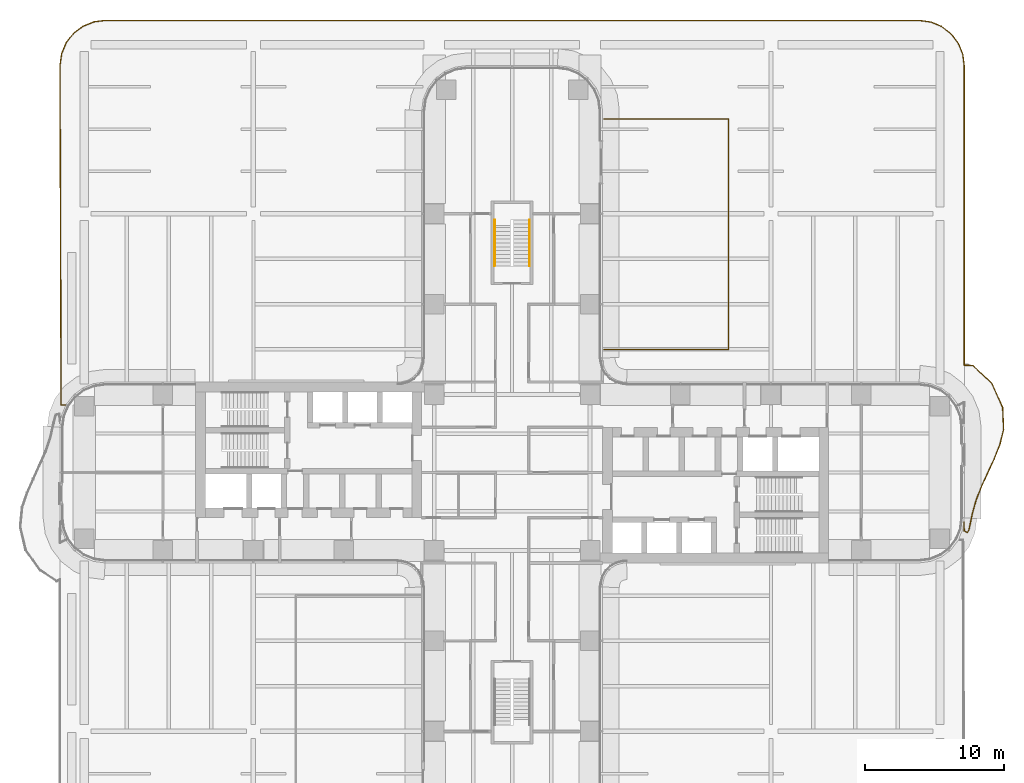
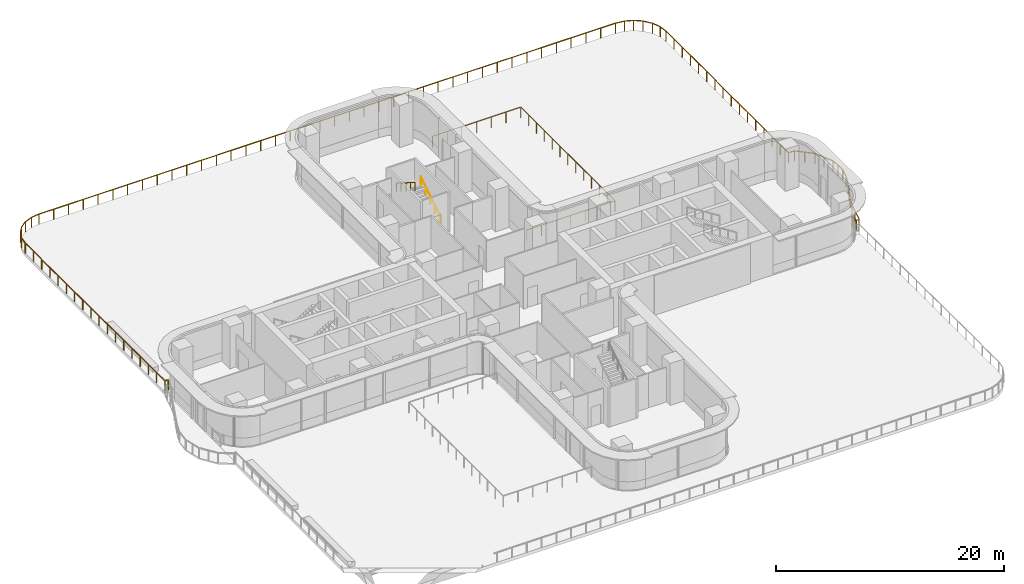
# One storey, part 28 of 29: 4 railings.
"""IFC4 building model written with IfcOpenShell, lengths in metres."""

from ifc_helpers import new_model, si_unit, direction, frame, origin, origin_2d, place, context, subcontext, project, spatial, rectangle, circle, extrude, source, transform, mapped, material, type_object, element, save


model = new_model("IFC4")

# Units and contexts
model_context = context("Model", 3, precision=1e-05, world=origin(), true_north=direction((0.0, 1.0)))
body_context = subcontext(model_context, "Body", "Model", "MODEL_VIEW")
ifc_project = project(units=[si_unit("LENGTHUNIT", "METRE"), si_unit("AREAUNIT", "SQUARE_METRE"), si_unit("VOLUMEUNIT", "CUBIC_METRE"), si_unit("PLANEANGLEUNIT", "RADIAN"), si_unit("MASSUNIT", "GRAM", prefix="KILO")], contexts=[model_context])

# Site, building, storey
site_placement = place(None, origin())
site = spatial("IfcSite", under=ifc_project, at=site_placement, CompositionType="ELEMENT")
building_placement = place(site_placement, origin())
building = spatial("IfcBuilding", under=site, at=building_placement, Name="Trellis Farm Tower", CompositionType="ELEMENT")
storey_placement = place(building_placement, frame((0.0, 0.0, 34.0)))
storey = spatial("IfcBuildingStorey", under=building, at=storey_placement, Name="L06", CompositionType="ELEMENT", Elevation=34.0)

# Railings
ifc_material_1 = material(Name="Stainless steel 316", Category="steel")
railing_type_1 = type_object("IfcRailingType", Name="BALUSTRADE GUARD 1100", PredefinedType="GUARDRAIL", material=ifc_material_1)
railing_1_placement = place(storey_placement, frame((-32.078369140625, 4.841552734375, 0.0)))
element("IfcRailing", 1, at=railing_1_placement, inside=storey, type_object=railing_type_1, Name="GD1 BAL-2", PredefinedType="GUARDRAIL", context=body_context, shape_type="SweptSolid", body=[
    extrude(rectangle(XDim=0.050048828125, YDim=0.050048828125, at=origin_2d()), frame((0.0, 0.0, 1.0751953125), z_axis=(-0.998595991784, 0.052972117127, 0.0), x_axis=(-0.052972117127, -0.998595991784, 0.0)), (0.0, 0.0, 1.0), 0.341064453125),
    extrude(rectangle(XDim=0.050048828125, YDim=0.050048828125, at=origin_2d()), frame((-0.340576171875, 0.01806640625, 1.0751953125), z_axis=(-0.003325435357, 0.999994470725, 0.0), x_axis=(-0.999994470725, -0.003325435357, 0.0)), (0.0, 0.0, 1.0), 24.374267578125),
    extrude(rectangle(XDim=0.050048828125, YDim=0.050048828125, at=origin_2d()), frame((-0.421630859375, 24.39208984375, 1.0751953125), z_axis=(0.137531262137, 0.990497426516, 0.0), x_axis=(-0.990497426516, 0.137531262137, 0.0)), (0.0, 0.0, 1.0), 0.896484375),
    extrude(rectangle(XDim=0.050048828125, YDim=0.050048828125, at=origin_2d()), frame((-0.29833984375, 25.280029296875, 1.0751953125), z_axis=(0.392110431343, 0.919918153768, 0.0), x_axis=(-0.919918153768, 0.392110431343, 0.0)), (0.0, 0.0, 1.0), 0.847412109375),
    extrude(rectangle(XDim=0.050048828125, YDim=0.050048828125, at=origin_2d()), frame((0.033935546875, 26.0595703125, 1.0751953125), z_axis=(0.616650070044, 0.78723737914, 0.0), x_axis=(-0.78723737914, 0.616650070044, 0.0)), (0.0, 0.0, 1.0), 0.84716796875),
    extrude(rectangle(XDim=0.050048828125, YDim=0.050048828125, at=origin_2d()), frame((0.556396484375, 26.7265625, 1.0751953125), z_axis=(0.799481118844, 0.600691219023, 0.0), x_axis=(-0.600691219023, 0.799481118844, 0.0)), (0.0, 0.0, 1.0), 0.847412109375),
    extrude(rectangle(XDim=0.050048828125, YDim=0.050048828125, at=origin_2d()), frame((1.23388671875, 27.235595703125, 1.0751953125), z_axis=(0.927639628134, 0.373476532483, 0.0), x_axis=(-0.373476532483, 0.927639628134, 0.0)), (0.0, 0.0, 1.0), 0.84716796875),
    extrude(rectangle(XDim=0.050048828125, YDim=0.050048828125, at=origin_2d()), frame((2.019775390625, 27.552001953125, 1.0751953125), z_axis=(0.991777866634, 0.12797133763, 0.0), x_axis=(-0.12797133763, 0.991777866634, 0.0)), (0.0, 0.0, 1.0), 0.831787109375),
    extrude(rectangle(XDim=0.050048828125, YDim=0.050048828125, at=origin_2d()), frame((2.8447265625, 27.658447265625, 1.0751953125), z_axis=(0.999999999295, -3.7560253e-05, 0.0), x_axis=(3.7560253e-05, 0.999999999295, 0.0)), (0.0, 0.0, 1.0), 58.499755859375),
    extrude(rectangle(XDim=0.050048828125, YDim=0.050048828125, at=origin_2d()), frame((61.344482421875, 27.65625, 1.0751953125), z_axis=(0.990129529827, -0.140155321574, 0.0), x_axis=(0.140155321574, 0.990129529827, 0.0)), (0.0, 0.0, 1.0), 0.864013671875),
    extrude(rectangle(XDim=0.050048828125, YDim=0.050048828125, at=origin_2d()), frame((62.199951171875, 27.53515625, 1.0751953125), z_axis=(0.923822863807, -0.38282021408, 0.0), x_axis=(0.38282021408, 0.923822863807, 0.0)), (0.0, 0.0, 1.0), 0.782470703125),
    extrude(rectangle(XDim=0.050048828125, YDim=0.050048828125, at=origin_2d()), frame((62.9228515625, 27.235595703125, 1.0751953125), z_axis=(0.799481118844, -0.600691219023, 0.0), x_axis=(0.600691219023, 0.799481118844, 0.0)), (0.0, 0.0, 1.0), 0.847412109375),
    extrude(rectangle(XDim=0.050048828125, YDim=0.050048828125, at=origin_2d()), frame((63.600341796875, 26.7265625, 1.0751953125), z_axis=(0.608701247669, -0.793399515431, 0.0), x_axis=(0.793399515431, 0.608701247669, 0.0)), (0.0, 0.0, 1.0), 0.912109375),
    extrude(rectangle(XDim=0.050048828125, YDim=0.050048828125, at=origin_2d()), frame((64.155517578125, 26.0029296875, 1.0751953125), z_axis=(0.373476532483, -0.927639628134, 0.0), x_axis=(0.927639628134, 0.373476532483, 0.0)), (0.0, 0.0, 1.0), 0.84716796875),
    extrude(rectangle(XDim=0.050048828125, YDim=0.050048828125, at=origin_2d()), frame((64.471923828125, 25.217041015625, 1.0751953125), z_axis=(0.12797133763, -0.991777866634, 0.0), x_axis=(0.991777866634, 0.12797133763, 0.0)), (0.0, 0.0, 1.0), 0.831787109375),
    extrude(rectangle(XDim=0.050048828125, YDim=0.050048828125, at=origin_2d()), frame((64.578369140625, 24.39208984375, 1.0751953125), z_axis=(0.0, -1.0, 0.0), x_axis=(1.0, 0.0, 0.0)), (0.0, 0.0, 1.0), 21.519775390625),
    extrude(rectangle(XDim=0.050048828125, YDim=0.050048828125, at=origin_2d()), frame((64.578369140625, 2.872314453125, 1.0751953125), z_axis=(0.999423882956, -0.033939684399, 0.0), x_axis=(0.033939684399, 0.999423882956, 0.0)), (0.0, 0.0, 1.0), 0.611328125),
    extrude(rectangle(XDim=0.050048828125, YDim=0.050048828125, at=origin_2d()), frame((65.189453125, 2.8515625, 1.0751953125), z_axis=(0.73595216975, -0.677033532287, 0.0), x_axis=(0.677033532287, 0.73595216975, 0.0)), (0.0, 0.0, 1.0), 1.83984375),
    extrude(rectangle(XDim=0.050048828125, YDim=0.050048828125, at=origin_2d()), frame((66.54345703125, 1.60595703125, 1.0751953125), z_axis=(0.409066699542, -0.912504485099, 0.0), x_axis=(0.912504485099, 0.409066699542, 0.0)), (0.0, 0.0, 1.0), 1.947998046875),
    extrude(rectangle(XDim=0.050048828125, YDim=0.050048828125, at=origin_2d()), frame((67.34033203125, -0.171630859375, 1.0751953125), z_axis=(0.042654335, -0.999089889702, 0.0), x_axis=(0.999089889702, 0.042654335, 0.0)), (0.0, 0.0, 1.0), 1.596923828125),
    extrude(rectangle(XDim=0.050048828125, YDim=0.050048828125, at=origin_2d()), frame((67.408447265625, -1.76708984375, 1.0751953125), z_axis=(-0.246167193981, -0.969227379209, 0.0), x_axis=(0.969227379209, -0.246167193981, 0.0)), (0.0, 0.0, 1.0), 1.091064453125),
    extrude(rectangle(XDim=0.050048828125, YDim=0.050048828125, at=origin_2d()), frame((67.139892578125, -2.824462890625, 1.0751953125), z_axis=(-0.366843911407, -0.930282507985, 0.0), x_axis=(0.930282507985, -0.366843911407, 0.0)), (0.0, 0.0, 1.0), 1.102783203125),
    extrude(rectangle(XDim=0.050048828125, YDim=0.050048828125, at=origin_2d()), frame((66.7353515625, -3.850341796875, 1.0751953125), z_axis=(-0.418681789688, -0.90813300732, 0.0), x_axis=(0.90813300732, -0.418681789688, 0.0)), (0.0, 0.0, 1.0), 2.18017578125),
    extrude(rectangle(XDim=0.050048828125, YDim=0.050048828125, at=origin_2d()), frame((65.822509765625, -5.830322265625, 1.0751953125), z_axis=(-0.369053369105, -0.929408204586, 0.0), x_axis=(0.929408204586, -0.369053369105, 0.0)), (0.0, 0.0, 1.0), 1.06298828125),
    extrude(rectangle(XDim=0.050048828125, YDim=0.050048828125, at=origin_2d()), frame((65.43017578125, -6.818359375, 1.0751953125), z_axis=(-0.266165908798, -0.963927232209, 0.0), x_axis=(0.963927232209, -0.266165908798, 0.0)), (0.0, 0.0, 1.0), 1.056640625),
    extrude(rectangle(XDim=0.050048828125, YDim=0.050048828125, at=origin_2d()), frame((65.14892578125, -7.8369140625, 1.0751953125), z_axis=(-0.20400658799, -0.978969515387, 0.0), x_axis=(0.978969515387, -0.20400658799, 0.0)), (0.0, 0.0, 1.0), 1.11767578125),
    extrude(rectangle(XDim=0.050048828125, YDim=0.050048828125, at=origin_2d()), frame((64.9208984375, -8.93115234375, 1.0751953125), z_axis=(-0.445329604008, -0.895366709116, 0.0), x_axis=(0.895366709116, -0.445329604008, 0.0)), (0.0, 0.0, 1.0), 0.25927734375),
    extrude(rectangle(XDim=0.050048828125, YDim=0.050048828125, at=origin_2d()), frame((64.805419921875, -9.163330078125, 1.0751953125), z_axis=(-0.870022185849, 0.493012571981, 0.0), x_axis=(-0.493012571981, -0.870022185849, 0.0)), (0.0, 0.0, 1.0), 0.260986328125),
    extrude(rectangle(XDim=0.050048828125, YDim=0.050048828125, at=origin_2d()), frame((64.578369140625, -9.03466796875, 1.0751953125), z_axis=(-0.061881934833, 0.99808347654, 0.0), x_axis=(-0.99808347654, -0.061881934833, 0.0)), (0.0, 0.0, 1.0), 0.64306640625),
    extrude(rectangle(XDim=0.0400390625, YDim=0.0400390625, at=origin_2d()), origin(), (0.0, 0.0, 1.0), 1.050048828125),
    extrude(rectangle(XDim=0.0400390625, YDim=0.0400390625, at=origin_2d()), frame((-0.340576171875, 0.01806640625, 0.0)), (0.0, 0.0, 1.0), 1.050048828125),
    extrude(rectangle(XDim=0.0400390625, YDim=0.0400390625, at=origin_2d()), frame((-0.345458984375, 1.451904296875, 0.0)), (0.0, 0.0, 1.0), 1.050048828125),
    extrude(rectangle(XDim=0.0400390625, YDim=0.0400390625, at=origin_2d()), frame((-0.35009765625, 2.885498046875, 0.0)), (0.0, 0.0, 1.0), 1.050048828125),
    extrude(rectangle(XDim=0.0400390625, YDim=0.0400390625, at=origin_2d()), frame((-0.35498046875, 4.3193359375, 0.0)), (0.0, 0.0, 1.0), 1.050048828125),
    extrude(rectangle(XDim=0.0400390625, YDim=0.0400390625, at=origin_2d()), frame((-0.359619140625, 5.753173828125, 0.0)), (0.0, 0.0, 1.0), 1.050048828125),
    extrude(rectangle(XDim=0.0400390625, YDim=0.0400390625, at=origin_2d()), frame((-0.364501953125, 7.18701171875, 0.0)), (0.0, 0.0, 1.0), 1.050048828125),
    extrude(rectangle(XDim=0.0400390625, YDim=0.0400390625, at=origin_2d()), frame((-0.369140625, 8.62060546875, 0.0)), (0.0, 0.0, 1.0), 1.050048828125),
    extrude(rectangle(XDim=0.0400390625, YDim=0.0400390625, at=origin_2d()), frame((-0.3740234375, 10.054443359375, 0.0)), (0.0, 0.0, 1.0), 1.050048828125),
    extrude(rectangle(XDim=0.0400390625, YDim=0.0400390625, at=origin_2d()), frame((-0.378662109375, 11.48828125, 0.0)), (0.0, 0.0, 1.0), 1.050048828125),
    extrude(rectangle(XDim=0.0400390625, YDim=0.0400390625, at=origin_2d()), frame((-0.383544921875, 12.921875, 0.0)), (0.0, 0.0, 1.0), 1.050048828125),
    extrude(rectangle(XDim=0.0400390625, YDim=0.0400390625, at=origin_2d()), frame((-0.38818359375, 14.355712890625, 0.0)), (0.0, 0.0, 1.0), 1.050048828125),
    extrude(rectangle(XDim=0.0400390625, YDim=0.0400390625, at=origin_2d()), frame((-0.39306640625, 15.78955078125, 0.0)), (0.0, 0.0, 1.0), 1.050048828125),
    extrude(rectangle(XDim=0.0400390625, YDim=0.0400390625, at=origin_2d()), frame((-0.397705078125, 17.22314453125, 0.0)), (0.0, 0.0, 1.0), 1.050048828125),
    extrude(rectangle(XDim=0.0400390625, YDim=0.0400390625, at=origin_2d()), frame((-0.402587890625, 18.656982421875, 0.0)), (0.0, 0.0, 1.0), 1.050048828125),
    extrude(rectangle(XDim=0.0400390625, YDim=0.0400390625, at=origin_2d()), frame((-0.4072265625, 20.0908203125, 0.0)), (0.0, 0.0, 1.0), 1.050048828125),
    extrude(rectangle(XDim=0.0400390625, YDim=0.0400390625, at=origin_2d()), frame((-0.412109375, 21.524658203125, 0.0)), (0.0, 0.0, 1.0), 1.050048828125),
    extrude(rectangle(XDim=0.0400390625, YDim=0.0400390625, at=origin_2d()), frame((-0.416748046875, 22.958251953125, 0.0)), (0.0, 0.0, 1.0), 1.050048828125),
    extrude(rectangle(XDim=0.0400390625, YDim=0.0400390625, at=origin_2d()), frame((-0.421630859375, 24.39208984375, 0.0)), (0.0, 0.0, 1.0), 1.050048828125),
    extrude(rectangle(XDim=0.0400390625, YDim=0.0400390625, at=origin_2d()), frame((-0.29833984375, 25.280029296875, 0.0)), (0.0, 0.0, 1.0), 1.050048828125),
    extrude(rectangle(XDim=0.0400390625, YDim=0.0400390625, at=origin_2d()), frame((0.033935546875, 26.0595703125, 0.0)), (0.0, 0.0, 1.0), 1.050048828125),
    extrude(rectangle(XDim=0.0400390625, YDim=0.0400390625, at=origin_2d()), frame((0.556396484375, 26.7265625, 0.0)), (0.0, 0.0, 1.0), 1.050048828125),
    extrude(rectangle(XDim=0.0400390625, YDim=0.0400390625, at=origin_2d()), frame((1.23388671875, 27.235595703125, 0.0)), (0.0, 0.0, 1.0), 1.050048828125),
    extrude(rectangle(XDim=0.0400390625, YDim=0.0400390625, at=origin_2d()), frame((2.019775390625, 27.552001953125, 0.0)), (0.0, 0.0, 1.0), 1.050048828125),
    extrude(rectangle(XDim=0.0400390625, YDim=0.0400390625, at=origin_2d()), frame((2.8447265625, 27.658447265625, 0.0)), (0.0, 0.0, 1.0), 1.050048828125),
    extrude(rectangle(XDim=0.0400390625, YDim=0.0400390625, at=origin_2d()), frame((4.3447265625, 27.658447265625, 0.0)), (0.0, 0.0, 1.0), 1.050048828125),
    extrude(rectangle(XDim=0.0400390625, YDim=0.0400390625, at=origin_2d()), frame((5.8447265625, 27.658447265625, 0.0)), (0.0, 0.0, 1.0), 1.050048828125),
    extrude(rectangle(XDim=0.0400390625, YDim=0.0400390625, at=origin_2d()), frame((7.3447265625, 27.658203125, 0.0)), (0.0, 0.0, 1.0), 1.050048828125),
    extrude(rectangle(XDim=0.0400390625, YDim=0.0400390625, at=origin_2d()), frame((8.8447265625, 27.658203125, 0.0)), (0.0, 0.0, 1.0), 1.050048828125),
    extrude(rectangle(XDim=0.0400390625, YDim=0.0400390625, at=origin_2d()), frame((10.3447265625, 27.658203125, 0.0)), (0.0, 0.0, 1.0), 1.050048828125),
    extrude(rectangle(XDim=0.0400390625, YDim=0.0400390625, at=origin_2d()), frame((11.8447265625, 27.658203125, 0.0)), (0.0, 0.0, 1.0), 1.050048828125),
    extrude(rectangle(XDim=0.0400390625, YDim=0.0400390625, at=origin_2d()), frame((13.3447265625, 27.657958984375, 0.0)), (0.0, 0.0, 1.0), 1.050048828125),
    extrude(rectangle(XDim=0.0400390625, YDim=0.0400390625, at=origin_2d()), frame((14.8447265625, 27.657958984375, 0.0)), (0.0, 0.0, 1.0), 1.050048828125),
    extrude(rectangle(XDim=0.0400390625, YDim=0.0400390625, at=origin_2d()), frame((16.3447265625, 27.657958984375, 0.0)), (0.0, 0.0, 1.0), 1.050048828125),
    extrude(rectangle(XDim=0.0400390625, YDim=0.0400390625, at=origin_2d()), frame((17.8447265625, 27.657958984375, 0.0)), (0.0, 0.0, 1.0), 1.050048828125),
    extrude(rectangle(XDim=0.0400390625, YDim=0.0400390625, at=origin_2d()), frame((19.3447265625, 27.65771484375, 0.0)), (0.0, 0.0, 1.0), 1.050048828125),
    extrude(rectangle(XDim=0.0400390625, YDim=0.0400390625, at=origin_2d()), frame((20.8447265625, 27.65771484375, 0.0)), (0.0, 0.0, 1.0), 1.050048828125),
    extrude(rectangle(XDim=0.0400390625, YDim=0.0400390625, at=origin_2d()), frame((22.3447265625, 27.65771484375, 0.0)), (0.0, 0.0, 1.0), 1.050048828125),
    extrude(rectangle(XDim=0.0400390625, YDim=0.0400390625, at=origin_2d()), frame((23.8447265625, 27.65771484375, 0.0)), (0.0, 0.0, 1.0), 1.050048828125),
    extrude(rectangle(XDim=0.0400390625, YDim=0.0400390625, at=origin_2d()), frame((25.3447265625, 27.65771484375, 0.0)), (0.0, 0.0, 1.0), 1.050048828125),
    extrude(rectangle(XDim=0.0400390625, YDim=0.0400390625, at=origin_2d()), frame((26.8447265625, 27.657470703125, 0.0)), (0.0, 0.0, 1.0), 1.050048828125),
    extrude(rectangle(XDim=0.0400390625, YDim=0.0400390625, at=origin_2d()), frame((28.3447265625, 27.657470703125, 0.0)), (0.0, 0.0, 1.0), 1.050048828125),
    extrude(rectangle(XDim=0.0400390625, YDim=0.0400390625, at=origin_2d()), frame((29.8447265625, 27.657470703125, 0.0)), (0.0, 0.0, 1.0), 1.050048828125),
    extrude(rectangle(XDim=0.0400390625, YDim=0.0400390625, at=origin_2d()), frame((31.3447265625, 27.657470703125, 0.0)), (0.0, 0.0, 1.0), 1.050048828125),
    extrude(rectangle(XDim=0.0400390625, YDim=0.0400390625, at=origin_2d()), frame((32.844482421875, 27.6572265625, 0.0)), (0.0, 0.0, 1.0), 1.050048828125),
    extrude(rectangle(XDim=0.0400390625, YDim=0.0400390625, at=origin_2d()), frame((34.344482421875, 27.6572265625, 0.0)), (0.0, 0.0, 1.0), 1.050048828125),
    extrude(rectangle(XDim=0.0400390625, YDim=0.0400390625, at=origin_2d()), frame((35.844482421875, 27.6572265625, 0.0)), (0.0, 0.0, 1.0), 1.050048828125),
    extrude(rectangle(XDim=0.0400390625, YDim=0.0400390625, at=origin_2d()), frame((37.344482421875, 27.6572265625, 0.0)), (0.0, 0.0, 1.0), 1.050048828125),
    extrude(rectangle(XDim=0.0400390625, YDim=0.0400390625, at=origin_2d()), frame((38.844482421875, 27.656982421875, 0.0)), (0.0, 0.0, 1.0), 1.050048828125),
    extrude(rectangle(XDim=0.0400390625, YDim=0.0400390625, at=origin_2d()), frame((40.344482421875, 27.656982421875, 0.0)), (0.0, 0.0, 1.0), 1.050048828125),
    extrude(rectangle(XDim=0.0400390625, YDim=0.0400390625, at=origin_2d()), frame((41.844482421875, 27.656982421875, 0.0)), (0.0, 0.0, 1.0), 1.050048828125),
    extrude(rectangle(XDim=0.0400390625, YDim=0.0400390625, at=origin_2d()), frame((43.344482421875, 27.656982421875, 0.0)), (0.0, 0.0, 1.0), 1.050048828125),
    extrude(rectangle(XDim=0.0400390625, YDim=0.0400390625, at=origin_2d()), frame((44.844482421875, 27.656982421875, 0.0)), (0.0, 0.0, 1.0), 1.050048828125),
    extrude(rectangle(XDim=0.0400390625, YDim=0.0400390625, at=origin_2d()), frame((46.344482421875, 27.65673828125, 0.0)), (0.0, 0.0, 1.0), 1.050048828125),
    extrude(rectangle(XDim=0.0400390625, YDim=0.0400390625, at=origin_2d()), frame((47.844482421875, 27.65673828125, 0.0)), (0.0, 0.0, 1.0), 1.050048828125),
    extrude(rectangle(XDim=0.0400390625, YDim=0.0400390625, at=origin_2d()), frame((49.344482421875, 27.65673828125, 0.0)), (0.0, 0.0, 1.0), 1.050048828125),
    extrude(rectangle(XDim=0.0400390625, YDim=0.0400390625, at=origin_2d()), frame((50.844482421875, 27.65673828125, 0.0)), (0.0, 0.0, 1.0), 1.050048828125),
    extrude(rectangle(XDim=0.0400390625, YDim=0.0400390625, at=origin_2d()), frame((52.344482421875, 27.656494140625, 0.0)), (0.0, 0.0, 1.0), 1.050048828125),
    extrude(rectangle(XDim=0.0400390625, YDim=0.0400390625, at=origin_2d()), frame((53.844482421875, 27.656494140625, 0.0)), (0.0, 0.0, 1.0), 1.050048828125),
    extrude(rectangle(XDim=0.0400390625, YDim=0.0400390625, at=origin_2d()), frame((55.344482421875, 27.656494140625, 0.0)), (0.0, 0.0, 1.0), 1.050048828125),
    extrude(rectangle(XDim=0.0400390625, YDim=0.0400390625, at=origin_2d()), frame((56.844482421875, 27.656494140625, 0.0)), (0.0, 0.0, 1.0), 1.050048828125),
    extrude(rectangle(XDim=0.0400390625, YDim=0.0400390625, at=origin_2d()), frame((58.344482421875, 27.65625, 0.0)), (0.0, 0.0, 1.0), 1.050048828125),
    extrude(rectangle(XDim=0.0400390625, YDim=0.0400390625, at=origin_2d()), frame((59.844482421875, 27.65625, 0.0)), (0.0, 0.0, 1.0), 1.050048828125),
    extrude(rectangle(XDim=0.0400390625, YDim=0.0400390625, at=origin_2d()), frame((61.344482421875, 27.65625, 0.0)), (0.0, 0.0, 1.0), 1.050048828125),
    extrude(rectangle(XDim=0.0400390625, YDim=0.0400390625, at=origin_2d()), frame((62.199951171875, 27.53515625, 0.0)), (0.0, 0.0, 1.0), 1.050048828125),
    extrude(rectangle(XDim=0.0400390625, YDim=0.0400390625, at=origin_2d()), frame((62.9228515625, 27.235595703125, 0.0)), (0.0, 0.0, 1.0), 1.050048828125),
    extrude(rectangle(XDim=0.0400390625, YDim=0.0400390625, at=origin_2d()), frame((63.600341796875, 26.7265625, 0.0)), (0.0, 0.0, 1.0), 1.050048828125),
    extrude(rectangle(XDim=0.0400390625, YDim=0.0400390625, at=origin_2d()), frame((64.155517578125, 26.0029296875, 0.0)), (0.0, 0.0, 1.0), 1.050048828125),
    extrude(rectangle(XDim=0.0400390625, YDim=0.0400390625, at=origin_2d()), frame((64.471923828125, 25.217041015625, 0.0)), (0.0, 0.0, 1.0), 1.050048828125),
    extrude(rectangle(XDim=0.0400390625, YDim=0.0400390625, at=origin_2d()), frame((64.578369140625, 24.39208984375, 0.0)), (0.0, 0.0, 1.0), 1.050048828125),
    extrude(rectangle(XDim=0.0400390625, YDim=0.0400390625, at=origin_2d()), frame((64.578369140625, 22.95751953125, 0.0)), (0.0, 0.0, 1.0), 1.050048828125),
    extrude(rectangle(XDim=0.0400390625, YDim=0.0400390625, at=origin_2d()), frame((64.578369140625, 21.522705078125, 0.0)), (0.0, 0.0, 1.0), 1.050048828125),
    extrude(rectangle(XDim=0.0400390625, YDim=0.0400390625, at=origin_2d()), frame((64.578369140625, 20.088134765625, 0.0)), (0.0, 0.0, 1.0), 1.050048828125),
    extrude(rectangle(XDim=0.0400390625, YDim=0.0400390625, at=origin_2d()), frame((64.578369140625, 18.653564453125, 0.0)), (0.0, 0.0, 1.0), 1.050048828125),
    extrude(rectangle(XDim=0.0400390625, YDim=0.0400390625, at=origin_2d()), frame((64.578369140625, 17.21875, 0.0)), (0.0, 0.0, 1.0), 1.050048828125),
    extrude(rectangle(XDim=0.0400390625, YDim=0.0400390625, at=origin_2d()), frame((64.578369140625, 15.7841796875, 0.0)), (0.0, 0.0, 1.0), 1.050048828125),
    extrude(rectangle(XDim=0.0400390625, YDim=0.0400390625, at=origin_2d()), frame((64.578369140625, 14.349609375, 0.0)), (0.0, 0.0, 1.0), 1.050048828125),
    extrude(rectangle(XDim=0.0400390625, YDim=0.0400390625, at=origin_2d()), frame((64.578369140625, 12.914794921875, 0.0)), (0.0, 0.0, 1.0), 1.050048828125),
    extrude(rectangle(XDim=0.0400390625, YDim=0.0400390625, at=origin_2d()), frame((64.578369140625, 11.480224609375, 0.0)), (0.0, 0.0, 1.0), 1.050048828125),
    extrude(rectangle(XDim=0.0400390625, YDim=0.0400390625, at=origin_2d()), frame((64.578369140625, 10.045654296875, 0.0)), (0.0, 0.0, 1.0), 1.050048828125),
    extrude(rectangle(XDim=0.0400390625, YDim=0.0400390625, at=origin_2d()), frame((64.578369140625, 8.61083984375, 0.0)), (0.0, 0.0, 1.0), 1.050048828125),
    extrude(rectangle(XDim=0.0400390625, YDim=0.0400390625, at=origin_2d()), frame((64.578369140625, 7.17626953125, 0.0)), (0.0, 0.0, 1.0), 1.050048828125),
    extrude(rectangle(XDim=0.0400390625, YDim=0.0400390625, at=origin_2d()), frame((64.578369140625, 5.74169921875, 0.0)), (0.0, 0.0, 1.0), 1.050048828125),
    extrude(rectangle(XDim=0.0400390625, YDim=0.0400390625, at=origin_2d()), frame((64.578369140625, 4.306884765625, 0.0)), (0.0, 0.0, 1.0), 1.050048828125),
    extrude(rectangle(XDim=0.0400390625, YDim=0.0400390625, at=origin_2d()), frame((64.578369140625, 2.872314453125, 0.0)), (0.0, 0.0, 1.0), 1.050048828125),
    extrude(rectangle(XDim=0.0400390625, YDim=0.0400390625, at=origin_2d()), frame((65.189453125, 2.8515625, 0.0)), (0.0, 0.0, 1.0), 1.050048828125),
    extrude(rectangle(XDim=0.0400390625, YDim=0.0400390625, at=origin_2d()), frame((65.866455078125, 2.228759765625, 0.0)), (0.0, 0.0, 1.0), 1.050048828125),
    extrude(rectangle(XDim=0.0400390625, YDim=0.0400390625, at=origin_2d()), frame((66.54345703125, 1.60595703125, 0.0)), (0.0, 0.0, 1.0), 1.050048828125),
    extrude(rectangle(XDim=0.0400390625, YDim=0.0400390625, at=origin_2d()), frame((66.94189453125, 0.71728515625, 0.0)), (0.0, 0.0, 1.0), 1.050048828125),
    extrude(rectangle(XDim=0.0400390625, YDim=0.0400390625, at=origin_2d()), frame((67.34033203125, -0.171630859375, 0.0)), (0.0, 0.0, 1.0), 1.050048828125),
    extrude(rectangle(XDim=0.0400390625, YDim=0.0400390625, at=origin_2d()), frame((67.37451171875, -0.96923828125, 0.0)), (0.0, 0.0, 1.0), 1.050048828125),
    extrude(rectangle(XDim=0.0400390625, YDim=0.0400390625, at=origin_2d()), frame((67.408447265625, -1.76708984375, 0.0)), (0.0, 0.0, 1.0), 1.050048828125),
    extrude(rectangle(XDim=0.0400390625, YDim=0.0400390625, at=origin_2d()), frame((67.139892578125, -2.824462890625, 0.0)), (0.0, 0.0, 1.0), 1.050048828125),
    extrude(rectangle(XDim=0.0400390625, YDim=0.0400390625, at=origin_2d()), frame((66.7353515625, -3.850341796875, 0.0)), (0.0, 0.0, 1.0), 1.050048828125),
    extrude(rectangle(XDim=0.0400390625, YDim=0.0400390625, at=origin_2d()), frame((66.27880859375, -4.84033203125, 0.0)), (0.0, 0.0, 1.0), 1.050048828125),
    extrude(rectangle(XDim=0.0400390625, YDim=0.0400390625, at=origin_2d()), frame((65.822509765625, -5.830322265625, 0.0)), (0.0, 0.0, 1.0), 1.050048828125),
    extrude(rectangle(XDim=0.0400390625, YDim=0.0400390625, at=origin_2d()), frame((65.43017578125, -6.818359375, 0.0)), (0.0, 0.0, 1.0), 1.050048828125),
    extrude(rectangle(XDim=0.0400390625, YDim=0.0400390625, at=origin_2d()), frame((65.14892578125, -7.8369140625, 0.0)), (0.0, 0.0, 1.0), 1.050048828125),
    extrude(rectangle(XDim=0.0400390625, YDim=0.0400390625, at=origin_2d()), frame((64.9208984375, -8.93115234375, 0.0)), (0.0, 0.0, 1.0), 1.050048828125),
    extrude(rectangle(XDim=0.0400390625, YDim=0.0400390625, at=origin_2d()), frame((64.805419921875, -9.163330078125, 0.0)), (0.0, 0.0, 1.0), 1.050048828125),
    extrude(rectangle(XDim=0.0400390625, YDim=0.0400390625, at=origin_2d()), frame((64.578369140625, -9.03466796875, 0.0)), (0.0, 0.0, 1.0), 1.050048828125),
    extrude(rectangle(XDim=0.0400390625, YDim=0.0400390625, at=origin_2d()), frame((64.53857421875, -8.392822265625, 0.0)), (0.0, 0.0, 1.0), 1.050048828125),
])
railing_type_2 = type_object("IfcRailingType", Name="BALUSTRADE GUARD 1200", PredefinedType="GUARDRAIL", material=ifc_material_1)
railing_2_placement = place(storey_placement, frame((6.60009765625, 25.39990234375, 0.0)))
element("IfcRailing", 2, at=railing_2_placement, inside=storey, type_object=railing_type_2, Name="GD2 ZN-2", PredefinedType="GUARDRAIL", context=body_context, shape_type="SweptSolid", body=[
    extrude(rectangle(XDim=0.050048828125, YDim=0.050048828125, at=origin_2d()), frame((0.0, 0.0, 1.1748046875), z_axis=(1.0, 0.0, 0.0), x_axis=(0.0, 1.0, 0.0)), (0.0, 0.0, 1.0), 8.953125),
    extrude(rectangle(XDim=0.050048828125, YDim=0.050048828125, at=origin_2d()), frame((8.953125, 0.0, 1.1748046875), z_axis=(0.0, -1.0, 0.0), x_axis=(1.0, 0.0, 0.0)), (0.0, 0.0, 1.0), 16.568603515625),
    extrude(rectangle(XDim=0.050048828125, YDim=0.050048828125, at=origin_2d()), frame((8.953125, -16.568603515625, 1.1748046875), z_axis=(-1.0, 0.0, 0.0), x_axis=(0.0, -1.0, 0.0)), (0.0, 0.0, 1.0), 8.953125),
    extrude(rectangle(XDim=0.0400390625, YDim=0.0400390625, at=origin_2d()), origin(), (0.0, 0.0, 1.0), 1.14990234375),
    extrude(rectangle(XDim=0.0400390625, YDim=0.0400390625, at=origin_2d()), frame((1.4921875, 0.0, 0.0)), (0.0, 0.0, 1.0), 1.14990234375),
    extrude(rectangle(XDim=0.0400390625, YDim=0.0400390625, at=origin_2d()), frame((2.984375, 0.0, 0.0)), (0.0, 0.0, 1.0), 1.14990234375),
    extrude(rectangle(XDim=0.0400390625, YDim=0.0400390625, at=origin_2d()), frame((4.4765625, 0.0, 0.0)), (0.0, 0.0, 1.0), 1.14990234375),
    extrude(rectangle(XDim=0.0400390625, YDim=0.0400390625, at=origin_2d()), frame((5.96875, 0.0, 0.0)), (0.0, 0.0, 1.0), 1.14990234375),
    extrude(rectangle(XDim=0.0400390625, YDim=0.0400390625, at=origin_2d()), frame((7.4609375, 0.0, 0.0)), (0.0, 0.0, 1.0), 1.14990234375),
    extrude(rectangle(XDim=0.0400390625, YDim=0.0400390625, at=origin_2d()), frame((8.953125, 0.0, 0.0)), (0.0, 0.0, 1.0), 1.14990234375),
    extrude(rectangle(XDim=0.0400390625, YDim=0.0400390625, at=origin_2d()), frame((8.953125, -1.380615234375, 0.0)), (0.0, 0.0, 1.0), 1.14990234375),
    extrude(rectangle(XDim=0.0400390625, YDim=0.0400390625, at=origin_2d()), frame((8.953125, -2.761474609375, 0.0)), (0.0, 0.0, 1.0), 1.14990234375),
    extrude(rectangle(XDim=0.0400390625, YDim=0.0400390625, at=origin_2d()), frame((8.953125, -4.14208984375, 0.0)), (0.0, 0.0, 1.0), 1.14990234375),
    extrude(rectangle(XDim=0.0400390625, YDim=0.0400390625, at=origin_2d()), frame((8.953125, -5.52294921875, 0.0)), (0.0, 0.0, 1.0), 1.14990234375),
    extrude(rectangle(XDim=0.0400390625, YDim=0.0400390625, at=origin_2d()), frame((8.953125, -6.903564453125, 0.0)), (0.0, 0.0, 1.0), 1.14990234375),
    extrude(rectangle(XDim=0.0400390625, YDim=0.0400390625, at=origin_2d()), frame((8.953125, -8.2841796875, 0.0)), (0.0, 0.0, 1.0), 1.14990234375),
    extrude(rectangle(XDim=0.0400390625, YDim=0.0400390625, at=origin_2d()), frame((8.953125, -9.6650390625, 0.0)), (0.0, 0.0, 1.0), 1.14990234375),
    extrude(rectangle(XDim=0.0400390625, YDim=0.0400390625, at=origin_2d()), frame((8.953125, -11.045654296875, 0.0)), (0.0, 0.0, 1.0), 1.14990234375),
    extrude(rectangle(XDim=0.0400390625, YDim=0.0400390625, at=origin_2d()), frame((8.953125, -12.426513671875, 0.0)), (0.0, 0.0, 1.0), 1.14990234375),
    extrude(rectangle(XDim=0.0400390625, YDim=0.0400390625, at=origin_2d()), frame((8.953125, -13.80712890625, 0.0)), (0.0, 0.0, 1.0), 1.14990234375),
    extrude(rectangle(XDim=0.0400390625, YDim=0.0400390625, at=origin_2d()), frame((8.953125, -15.18798828125, 0.0)), (0.0, 0.0, 1.0), 1.14990234375),
    extrude(rectangle(XDim=0.0400390625, YDim=0.0400390625, at=origin_2d()), frame((8.953125, -16.568603515625, 0.0)), (0.0, 0.0, 1.0), 1.14990234375),
    extrude(rectangle(XDim=0.0400390625, YDim=0.0400390625, at=origin_2d()), frame((7.4609375, -16.568603515625, 0.0)), (0.0, 0.0, 1.0), 1.14990234375),
    extrude(rectangle(XDim=0.0400390625, YDim=0.0400390625, at=origin_2d()), frame((5.96875, -16.568603515625, 0.0)), (0.0, 0.0, 1.0), 1.14990234375),
    extrude(rectangle(XDim=0.0400390625, YDim=0.0400390625, at=origin_2d()), frame((4.4765625, -16.568603515625, 0.0)), (0.0, 0.0, 1.0), 1.14990234375),
    extrude(rectangle(XDim=0.0400390625, YDim=0.0400390625, at=origin_2d()), frame((2.984375, -16.568603515625, 0.0)), (0.0, 0.0, 1.0), 1.14990234375),
    extrude(rectangle(XDim=0.0400390625, YDim=0.0400390625, at=origin_2d()), frame((1.4921875, -16.568603515625, 0.0)), (0.0, 0.0, 1.0), 1.14990234375),
    extrude(rectangle(XDim=0.0400390625, YDim=0.0400390625, at=origin_2d()), frame((0.0, -16.568603515625, 0.0)), (0.0, 0.0, 1.0), 1.14990234375),
])
ifc_material_2 = material(Name="Stainless steel", Category="steel")
railing_type_3 = type_object("IfcRailingType", Name="STAIR HANDRAIL 900", PredefinedType="HANDRAIL", material=ifc_material_2)
shared_shape_1 = source(origin(), body_context, "Body", "SweptSolid", [
    extrude(circle(Radius=0.02392578125, at=origin_2d()), frame((0.0, 0.0, 0.8759765625), z_axis=(0.0, 0.846319618018, 0.532675421018), x_axis=(-1.0, 0.0, 0.0)), (0.0, 0.0, 1.0), 3.89892578125),
    extrude(circle(Radius=0.02099609375, at=origin_2d()), origin(), (0.0, 0.0, 1.0), 0.851806640625),
    extrude(circle(Radius=0.02099609375, at=origin_2d()), frame((0.0, 0.824951171875, 0.519287109375)), (0.0, 0.0, 1.0), 0.851806640625),
    extrude(circle(Radius=0.02099609375, at=origin_2d()), frame((0.0, 1.64990234375, 1.03857421875)), (0.0, 0.0, 1.0), 0.851806640625),
    extrude(circle(Radius=0.02099609375, at=origin_2d()), frame((0.0, 2.474853515625, 1.5576171875)), (0.0, 0.0, 1.0), 0.851806640625),
    extrude(circle(Radius=0.02099609375, at=origin_2d()), frame((0.0, 3.2998046875, 2.076904296875)), (0.0, 0.0, 1.0), 0.851806640625),
])
railing_3_placement = place(storey_placement, frame((1.25, 14.85009765625, 0.173095703125)))
element("IfcRailing", 3, at=railing_3_placement, inside=storey, type_object=railing_type_3, Name="Stair handrail", PredefinedType="HANDRAIL", context=body_context, shape_type="MappedRepresentation", body=[
    mapped(shared_shape_1, transform((0.0, 0.0, 0.0))),
])
shared_shape_2 = source(origin(), body_context, "Body", "SweptSolid", [
    extrude(circle(Radius=0.02392578125, at=origin_2d()), frame((0.0, 0.0, 0.8759765625), z_axis=(0.0, -0.846319618018, 0.532675421018), x_axis=(1.0, 0.0, 0.0)), (0.0, 0.0, 1.0), 3.89892578125),
    extrude(circle(Radius=0.02099609375, at=origin_2d()), origin(), (0.0, 0.0, 1.0), 0.851806640625),
    extrude(circle(Radius=0.02099609375, at=origin_2d()), frame((0.0, -0.824951171875, 0.519287109375)), (0.0, 0.0, 1.0), 0.851806640625),
    extrude(circle(Radius=0.02099609375, at=origin_2d()), frame((0.0, -1.64990234375, 1.03857421875)), (0.0, 0.0, 1.0), 0.851806640625),
    extrude(circle(Radius=0.02099609375, at=origin_2d()), frame((0.0, -2.474853515625, 1.5576171875)), (0.0, 0.0, 1.0), 0.851806640625),
    extrude(circle(Radius=0.02099609375, at=origin_2d()), frame((0.0, -3.2998046875, 2.076904296875)), (0.0, 0.0, 1.0), 0.851806640625),
])
railing_4_placement = place(storey_placement, frame((-1.25, 18.14990234375, 2.423095703125)))
element("IfcRailing", 4, at=railing_4_placement, inside=storey, type_object=railing_type_3, Name="Stair handrail", PredefinedType="HANDRAIL", context=body_context, shape_type="MappedRepresentation", body=[
    mapped(shared_shape_2, transform((0.0, 0.0, 0.0))),
])

save(model, "model.ifc")
